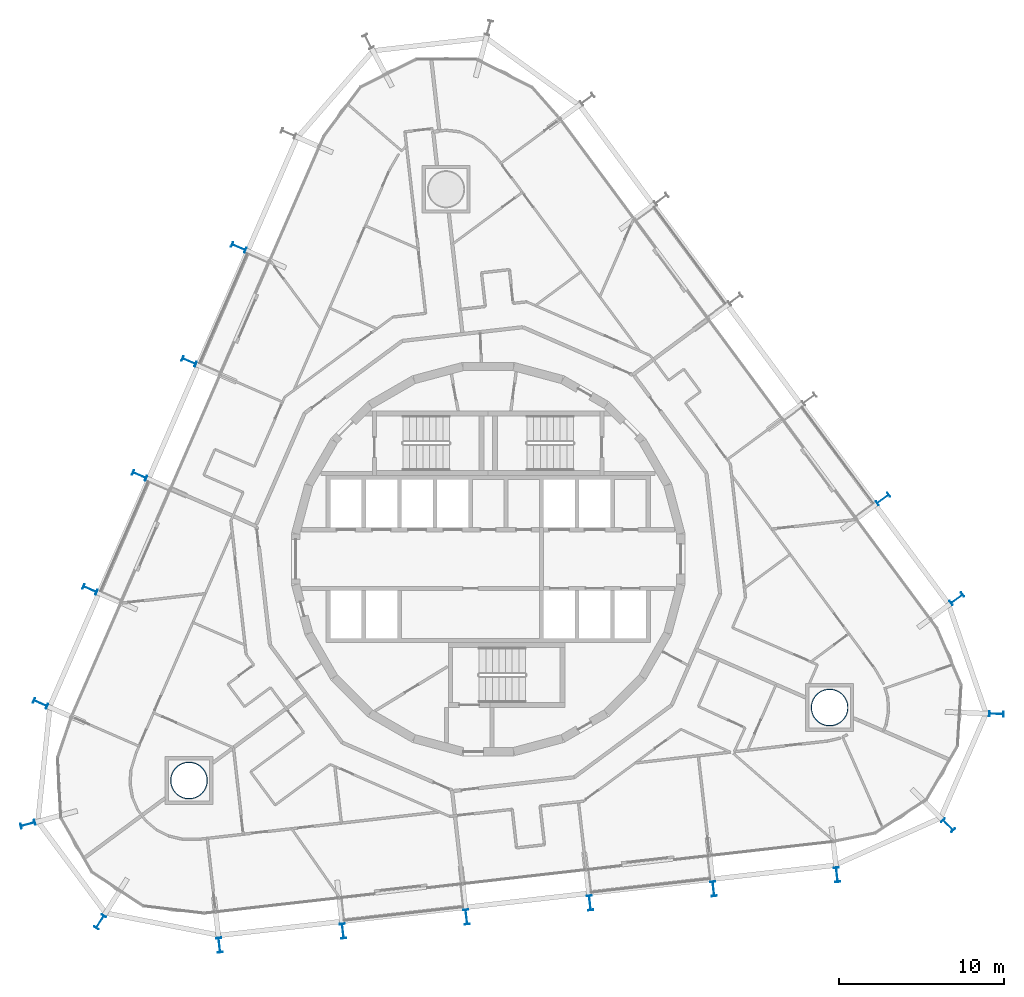
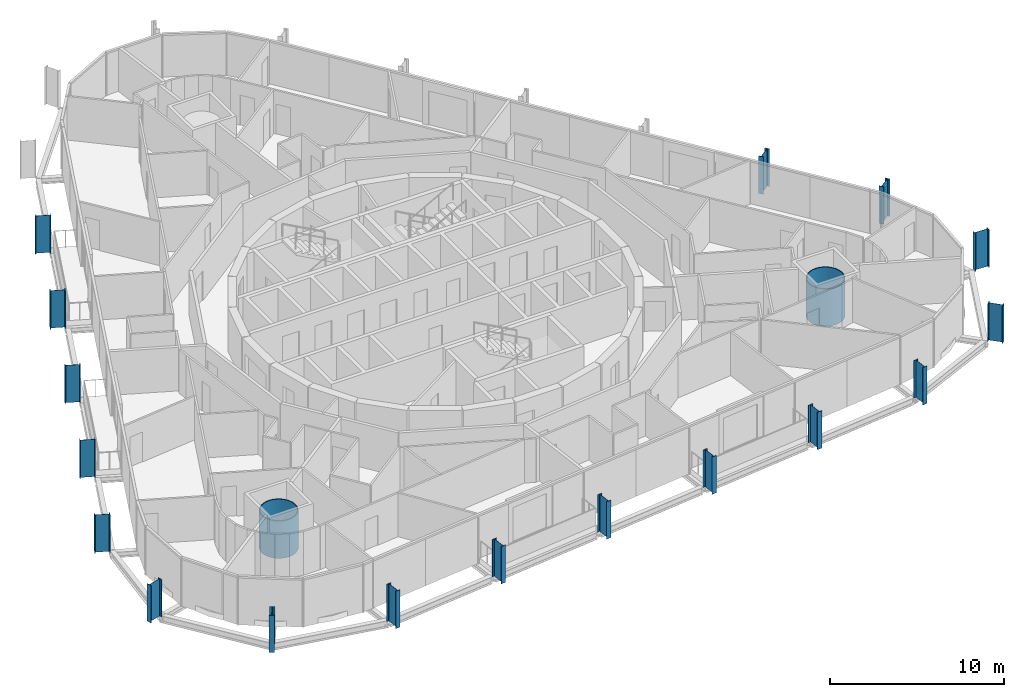
# One storey, part 1 of 23: 19 columns.
"""IFC4 building model written with IfcOpenShell, lengths in metres."""

from ifc_helpers import new_model, si_unit, direction, frame, origin, origin_2d, place, context, subcontext, project, spatial, hollow_circle, i_section, extrude, material, material_profile, profile_set, type_object, element, save


model = new_model("IFC4")

# Units and contexts
model_context = context("Model", 3, precision=1e-05, world=origin(), true_north=direction((0.0, 1.0)))
body_context = subcontext(model_context, "Body", "Model", "MODEL_VIEW")
ifc_project = project(units=[si_unit("LENGTHUNIT", "METRE"), si_unit("AREAUNIT", "SQUARE_METRE"), si_unit("VOLUMEUNIT", "CUBIC_METRE"), si_unit("PLANEANGLEUNIT", "RADIAN"), si_unit("MASSUNIT", "GRAM", prefix="KILO")], contexts=[model_context])

# Site, building, storey
site_placement = place(None, origin())
site = spatial("IfcSite", under=ifc_project, at=site_placement, CompositionType="ELEMENT")
building_placement = place(site_placement, origin())
building = spatial("IfcBuilding", under=site, at=building_placement, Name="Spindle Arch Residences", CompositionType="ELEMENT")
storey_placement = place(building_placement, frame((0.0, 0.0, 104.699951171875)))
storey = spatial("IfcBuildingStorey", under=building, at=storey_placement, Name="L25", CompositionType="ELEMENT", Elevation=104.699951171875)

# Columns
ifc_material_1 = material(Name="Steel S460ML, intumescent coating R 240", Category="steel")
ifc_material_profile_1 = material_profile(ifc_material_1, i_section(OverallWidth=0.300048828125, OverallDepth=0.89990234375, WebThickness=0.0185546875, FlangeThickness=0.034912109375, FilletRadius=0.030029296875, at=origin_2d()), Name="HEB 900")
ifc_profile_set_1 = profile_set([ifc_material_profile_1], Name="Steel S460ML, intumescent coating R 240")
column_type_1 = type_object("IfcColumnType", Name="Exoskeleton post HEB 900", PredefinedType="COLUMN", material=ifc_profile_set_1)
for number, where, z_axis, x_axis, name in (
    (1, (6.153076171875, -20.794677734375, -0.3798828125), (0.0, 0.0, 1.0), (-0.993571881569, -0.113202986513, 0.0), "Exoskeleton post 1"),
    (2, (13.62353515625, -19.943603515625, -0.3798828125), (0.0, 0.0, 1.0), (-0.993571881569, -0.113202986513, 0.0), "Exoskeleton post 2"),
    (3, (21.093994140625, -19.09228515625, -0.3798828125), (0.0, 0.0, 1.0), (-0.993571881569, -0.113202986513, 0.0), "Exoskeleton post 3"),
    (4, (27.81103515625, -16.097900390625, -0.3798828125), (0.0, 0.0, 1.0), (-0.704963041271, -0.709244041527, 0.0), "Exoskeleton post 4"),
    (5, (30.740478515625, -9.36083984375, -0.3798828125), (0.0, 0.0, 1.0), (-0.037923985838, -0.9992806269, 0.0), "Exoskeleton post 5"),
    (6, (28.349365234375, -2.40625, -0.3798828125), (0.0, 0.0, 1.0), (0.594822857897, -0.803856807972, 0.0), "Exoskeleton post 6"),
    (7, (23.876953125, 3.637939453125, -0.3798828125), (0.0, 0.0, 1.0), (0.594822857897, -0.803856807972, 0.0), "Exoskeleton post 7"),
    (8, (-15.0888671875, 18.859130859375, -0.3798828125), (0.0, 0.0, 1.0), (0.398749038162, 0.917060087761, 0.0), "Exoskeleton post 15"),
    (9, (-18.087158203125, 11.9638671875, -0.3798828125), (0.0, 0.0, 1.0), (0.398749038162, 0.917060087761, 0.0), "Exoskeleton post 16"),
    (10, (-21.085205078125, 5.068603515625, -0.3798828125), (0.0, 0.0, 1.0), (0.398749038162, 0.917060087761, 0.0), "Exoskeleton post 17"),
    (11, (-24.083251953125, -1.826416015625, -0.3798828125), (0.0, 0.0, 1.0), (0.398749038162, 0.917060087761, 0.0), "Exoskeleton post 18"),
    (12, (-27.081298828125, -8.7216796875, -0.3798828125), (0.0, 0.0, 1.0), (0.398749038162, 0.917060087761, 0.0), "Exoskeleton post 19"),
    (13, (-27.8466796875, -16.035888671875, -0.3798828125), (0.0, 0.0, 1.0), (-0.261741969429, 0.965137887268, 0.0), "Exoskeleton post 20"),
    (14, (-23.47705078125, -21.94140625, -0.3798828125), (0.0, 0.0, 1.0), (-0.846440049151, 0.532484030928, 0.0), "Exoskeleton post 21"),
    (15, (-16.258544921875, -23.34814453125, -0.3798828125), (0.0, 0.0, 1.0), (-0.993571881569, -0.113202986513, 0.0), "Exoskeleton post 22"),
    (16, (-8.7880859375, -22.4970703125, -0.3798828125), (0.0, 0.0, 1.0), (-0.993571881569, -0.113202986513, 0.0), "Exoskeleton post 23"),
    (17, (-1.3173828125, -21.645751953125, -0.3798828125), (0.0, 0.0, 1.0), (-0.993571881569, -0.113202986513, 0.0), "Exoskeleton post 24"),
):
    element("IfcColumn", number, at=place(storey_placement, frame(where, z_axis=z_axis, x_axis=x_axis)), inside=storey, type_object=column_type_1, Name=name, PredefinedType="COLUMN", context=body_context, shape_type="SweptSolid", body=[
        extrude(i_section(OverallWidth=0.300048828125, OverallDepth=0.89990234375, WebThickness=0.0185546875, FlangeThickness=0.034912109375, FilletRadius=0.030029296875, at=origin_2d()), origin(), (0.0, 0.0, 1.0), 2.615966796875),
    ])
ifc_material_2 = material(Name="Concrete C50/60 filled steel tube S460ML, intumescent coating R 240", Category="concrete")
ifc_material_profile_2 = material_profile(ifc_material_2, hollow_circle(Radius=1.125, WallThickness=0.054931640625, at=origin_2d()), Name="CFT D2250x55")
ifc_profile_set_2 = profile_set([ifc_material_profile_2], Name="Concrete C50/60 filled steel tube S460ML, intumescent coating R 240")
column_type_2 = type_object("IfcColumnType", Name="Mega-column CFT D2250x55", PredefinedType="COLUMN", material=ifc_profile_set_2)
for number, where, z_axis, x_axis, name in (
    (18, (20.647705078125, -8.977783203125, -0.3798828125), (0.0, 0.0, 1.0), (1.0, 0.0, 0.0), "Mega-column 1"),
    (19, (-18.098876953125, -13.392578125, -0.3798828125), (0.0, 0.0, 1.0), (1.0, 0.0, 0.0), "Mega-column 3"),
):
    element("IfcColumn", number, at=place(storey_placement, frame(where, z_axis=z_axis, x_axis=x_axis)), inside=storey, type_object=column_type_2, Name=name, PredefinedType="COLUMN", context=body_context, shape_type="SweptSolid", body=[
        extrude(hollow_circle(Radius=1.125, WallThickness=0.054931640625, at=origin_2d()), origin(), (0.0, 0.0, 1.0), 2.615966796875),
    ])

save(model, "model.ifc")
